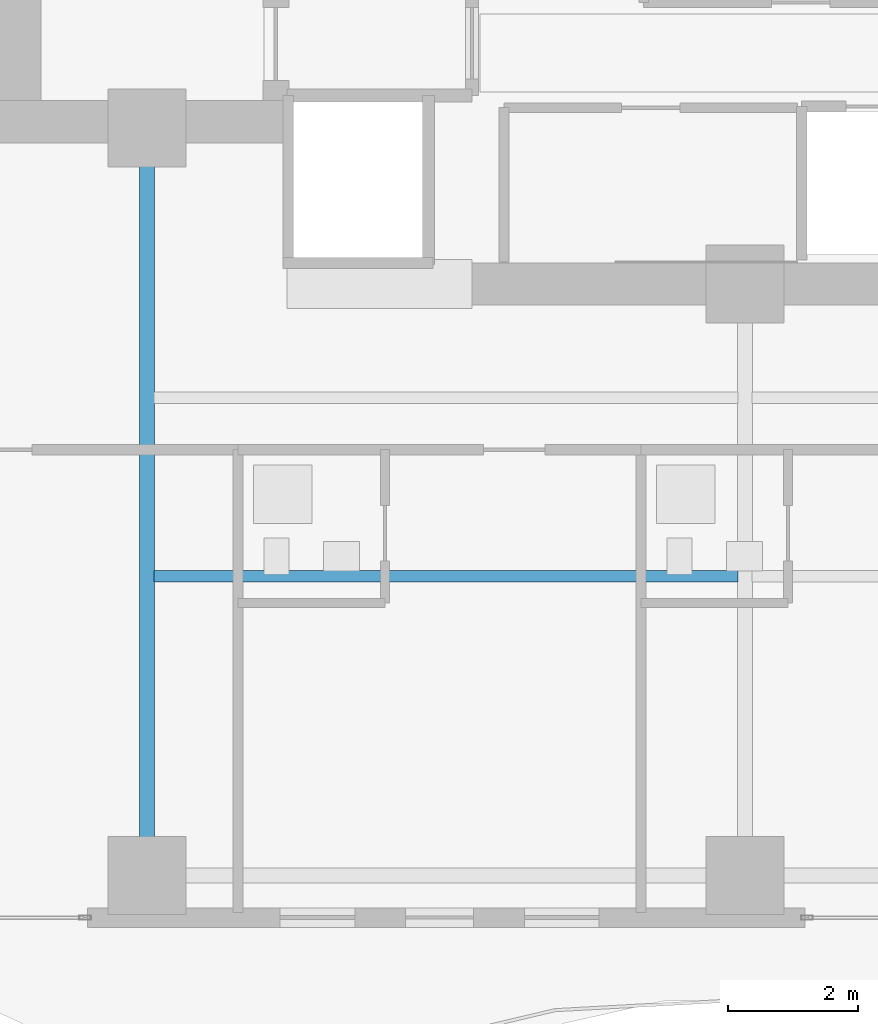
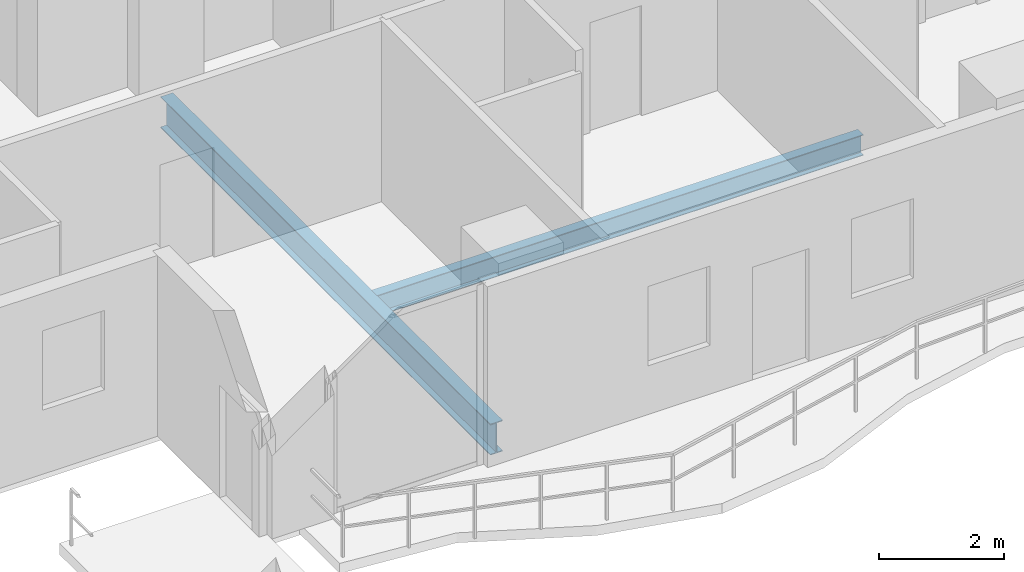
# One storey, part 3 of 32: 2 beams.
"""IFC4 building model written with IfcOpenShell, lengths in metres."""

from ifc_helpers import new_model, si_unit, direction, frame, origin, origin_2d, place, context, subcontext, project, spatial, i_section, extrude, material, material_profile, profile_set, type_object, element, save


model = new_model("IFC4")

# Units and contexts
model_context = context("Model", 3, precision=1e-05, world=origin(), true_north=direction((0.0, 1.0)))
body_context = subcontext(model_context, "Body", "Model", "MODEL_VIEW")
ifc_project = project(units=[si_unit("LENGTHUNIT", "METRE"), si_unit("AREAUNIT", "SQUARE_METRE"), si_unit("VOLUMEUNIT", "CUBIC_METRE"), si_unit("PLANEANGLEUNIT", "RADIAN"), si_unit("MASSUNIT", "GRAM", prefix="KILO")], contexts=[model_context])

# Site, building, storey
site_placement = place(None, origin())
site = spatial("IfcSite", under=ifc_project, at=site_placement, CompositionType="ELEMENT")
building_placement = place(site_placement, origin())
building = spatial("IfcBuilding", under=site, at=building_placement, Name="Zuhayl Quay Hotel", CompositionType="ELEMENT")
storey_placement = place(building_placement, frame((0.0, 0.0, 192.39990234375)))
storey = spatial("IfcBuildingStorey", under=building, at=storey_placement, Name="L48", CompositionType="ELEMENT", Elevation=192.39990234375)

# Beams
ifc_material = material(Name="Steel ASTM A992 Grade 50", Category="steel")
ifc_material_profile_1 = material_profile(ifc_material, i_section(OverallWidth=0.22802734375, OverallDepth=0.60693359375, WebThickness=0.01123046875, FlangeThickness=0.017333984375, at=origin_2d()), Name="W24X76")
ifc_profile_set_1 = profile_set([ifc_material_profile_1], Name="Steel ASTM A992 Grade 50")
beam_type_1 = type_object("IfcBeamType", Name="BM_B3_W24X76", PredefinedType="BEAM", material=ifc_profile_set_1)
beam_1_placement = place(storey_placement, frame((-13.800048828125, -6.449951171875, -0.5234375), z_axis=(0.0, 1.0, 0.0), x_axis=(-1.0, 0.0, 0.0)))
element("IfcBeam", 1, at=beam_1_placement, inside=storey, type_object=beam_type_1, Name="L48 Floor Beam FG_S_L48_1", PredefinedType="BEAM", context=body_context, shape_type="SweptSolid", body=[
    extrude(i_section(OverallWidth=0.22802734375, OverallDepth=0.60693359375, WebThickness=0.01123046875, FlangeThickness=0.017333984375, at=origin_2d()), origin(), (0.0, 0.0, 1.0), 10.550048828125),
])
ifc_material_profile_2 = material_profile(ifc_material, i_section(OverallWidth=0.177978515625, OverallDepth=0.406005859375, WebThickness=0.0078125, FlangeThickness=0.0126953125, at=origin_2d()), Name="W16X40")
ifc_profile_set_2 = profile_set([ifc_material_profile_2], Name="Steel ASTM A992 Grade 50")
beam_type_2 = type_object("IfcBeamType", Name="BM_J2B_W16X40", PredefinedType="JOIST", material=ifc_profile_set_2)
beam_2_placement = place(storey_placement, frame((-13.694091796875, -2.35009765625, -0.4228515625), z_axis=(1.0, 0.0, 0.0), x_axis=(0.0, 1.0, 0.0)))
element("IfcBeam", 2, at=beam_2_placement, inside=storey, type_object=beam_type_2, Name="L48 Floor Beam FJ_L48_7_1", PredefinedType="JOIST", context=body_context, shape_type="SweptSolid", body=[
    extrude(i_section(OverallWidth=0.177978515625, OverallDepth=0.406005859375, WebThickness=0.0078125, FlangeThickness=0.0126953125, at=origin_2d()), origin(), (0.0, 0.0, 1.0), 8.988037109375),
])

save(model, "model.ifc")
